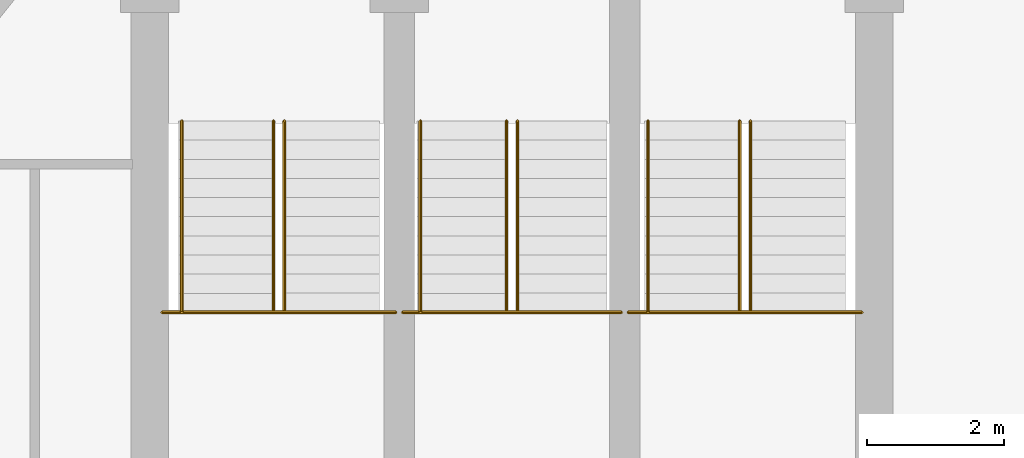
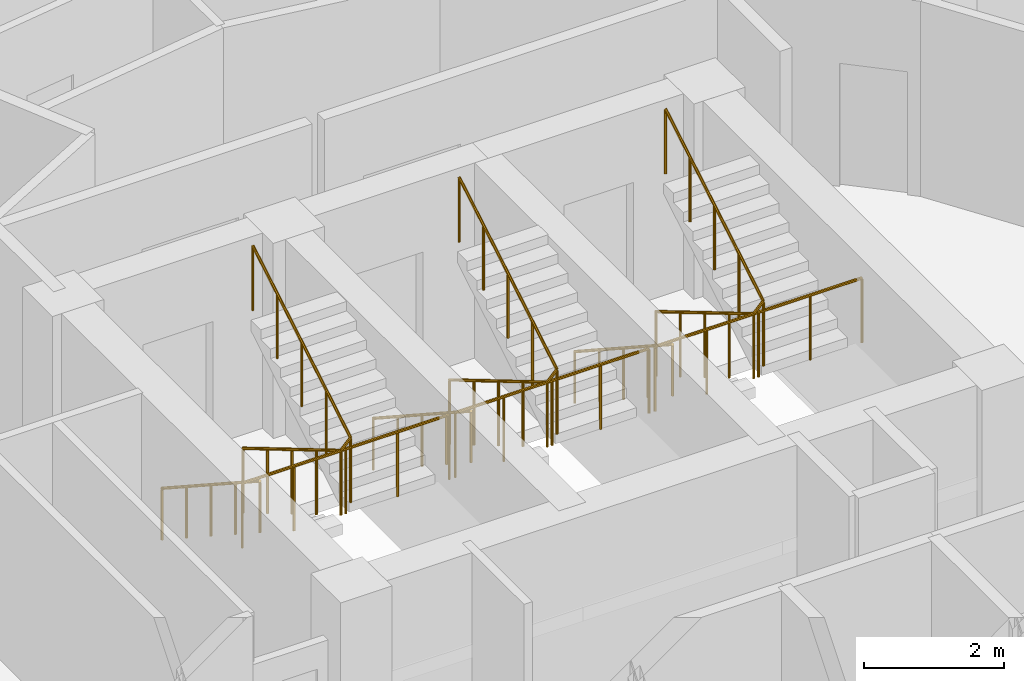
# One storey, part 27 of 27: 9 railings.
"""IFC4 building model written with IfcOpenShell, lengths in metres."""

from ifc_helpers import new_model, si_unit, direction, frame, origin, place, context, subcontext, project, spatial, polyline, outline, extrude, material, type_object, element, save


model = new_model("IFC4")

# Units and contexts
model_context = context("Model", 3, precision=1e-05, world=origin(), true_north=direction((0.0, 1.0)))
body_context = subcontext(model_context, "Body", "Model", "MODEL_VIEW")
ifc_project = project(units=[si_unit("LENGTHUNIT", "METRE"), si_unit("AREAUNIT", "SQUARE_METRE"), si_unit("VOLUMEUNIT", "CUBIC_METRE"), si_unit("PLANEANGLEUNIT", "RADIAN"), si_unit("MASSUNIT", "GRAM", prefix="KILO")], contexts=[model_context])

# Site, building, storey
site_placement = place(None, origin())
site = spatial("IfcSite", under=ifc_project, at=site_placement, CompositionType="ELEMENT")
building_placement = place(site_placement, origin())
building = spatial("IfcBuilding", under=site, at=building_placement, Name="Nuhasar Tower", CompositionType="ELEMENT")
storey_placement = place(building_placement, frame((0.0, 0.0, 208.14990234375)))
storey = spatial("IfcBuildingStorey", under=building, at=storey_placement, Name="L50", CompositionType="ELEMENT", Elevation=208.14990234375)

# Railings
ifc_material_1 = material(Name="Steel S355", Category="steel")
railing_type_1 = type_object("IfcRailingType", Name="RLG-STAIR-GUARD-1150", PredefinedType="GUARDRAIL", material=ifc_material_1)
railing_1_placement = place(storey_placement, frame((33.8798828125, 32.485107421875, 1.8251953125)))
element("IfcRailing", 1, at=railing_1_placement, inside=storey, type_object=railing_type_1, Name="L50 Stair ST-01 Guardrail LND", PredefinedType="GUARDRAIL", context=body_context, shape_type="SweptSolid", body=[
    extrude(outline(polyline([(0.024169921875, 0.0), (0.01708984375, 0.01708984375), (0.0, 0.024169921875), (-0.01708984375, 0.01708984375), (-0.024169921875, 0.0), (-0.01708984375, -0.01708984375), (0.0, -0.024169921875), (0.01708984375, -0.01708984375), (0.024169921875, 0.0)])), frame((0.0, 0.0, 1.1259765625), z_axis=(1.0, 0.0, 0.0), x_axis=(0.0, 1.0, 0.0)), (0.0, 0.0, 1.0), 3.420166015625),
    extrude(outline(polyline([(0.02099609375, 0.0), (0.014892578125, 0.014892578125), (0.0, 0.02099609375), (-0.014892578125, 0.014892578125), (-0.02099609375, 0.0), (-0.014892578125, -0.014892578125), (0.0, -0.02099609375), (0.014892578125, -0.014892578125), (0.02099609375, 0.0)])), origin(), (0.0, 0.0, 1.0), 1.101806640625),
    extrude(outline(polyline([(0.02099609375, 0.0), (0.014892578125, 0.014892578125), (0.0, 0.02099609375), (-0.014892578125, 0.014892578125), (-0.02099609375, 0.0), (-0.014892578125, -0.014892578125), (0.0, -0.02099609375), (0.014892578125, -0.014892578125), (0.02099609375, 0.0)])), frame((0.85498046875, 0.0, 0.0)), (0.0, 0.0, 1.0), 1.101806640625),
    extrude(outline(polyline([(0.02099609375, 0.0), (0.014892578125, 0.014892578125), (0.0, 0.02099609375), (-0.014892578125, 0.014892578125), (-0.02099609375, 0.0), (-0.014892578125, -0.014892578125), (0.0, -0.02099609375), (0.014892578125, -0.014892578125), (0.02099609375, 0.0)])), frame((1.7099609375, 0.0, 0.0)), (0.0, 0.0, 1.0), 1.101806640625),
    extrude(outline(polyline([(0.02099609375, 0.0), (0.014892578125, 0.014892578125), (0.0, 0.02099609375), (-0.014892578125, 0.014892578125), (-0.02099609375, 0.0), (-0.014892578125, -0.014892578125), (0.0, -0.02099609375), (0.014892578125, -0.014892578125), (0.02099609375, 0.0)])), frame((2.565185546875, 0.0, 0.0)), (0.0, 0.0, 1.0), 1.101806640625),
    extrude(outline(polyline([(0.02099609375, 0.0), (0.014892578125, 0.014892578125), (0.0, 0.02099609375), (-0.014892578125, 0.014892578125), (-0.02099609375, 0.0), (-0.014892578125, -0.014892578125), (0.0, -0.02099609375), (0.014892578125, -0.014892578125), (0.02099609375, 0.0)])), frame((3.420166015625, 0.0, 0.0)), (0.0, 0.0, 1.0), 1.101806640625),
])
railing_2_placement = place(storey_placement, frame((35.510009765625, 35.284912109375, 0.166015625)))
element("IfcRailing", 2, at=railing_2_placement, inside=storey, type_object=railing_type_1, Name="L50 Stair ST-01 Guardrail SLT", PredefinedType="GUARDRAIL", context=body_context, shape_type="SweptSolid", body=[
    extrude(outline(polyline([(0.024169921875, 0.0), (0.01708984375, 0.01708984375), (0.0, 0.024169921875), (-0.01708984375, 0.01708984375), (-0.024169921875, 0.0), (-0.01708984375, -0.01708984375), (0.0, -0.024169921875), (0.01708984375, -0.01708984375), (0.024169921875, 0.0)])), frame((0.0, 0.0, 1.1259765625), z_axis=(0.0, -0.860286659441, 0.509810615413), x_axis=(1.0, 0.0, 0.0)), (0.0, 0.0, 1.0), 3.25439453125),
    extrude(outline(polyline([(0.024169921875, 0.0), (0.01708984375, 0.01708984375), (0.0, 0.024169921875), (-0.01708984375, 0.01708984375), (-0.024169921875, 0.0), (-0.01708984375, -0.01708984375), (0.0, -0.024169921875), (0.01708984375, -0.01708984375), (0.024169921875, 0.0)])), frame((0.0, -2.7998046875, 2.78515625), z_axis=(0.693743449033, 0.0, 0.72022220663), x_axis=(0.0, 1.0, 0.0)), (0.0, 0.0, 1.0), 0.23046875),
    extrude(outline(polyline([(0.024169921875, 0.0), (0.01708984375, 0.01708984375), (0.0, 0.024169921875), (-0.01708984375, 0.01708984375), (-0.024169921875, 0.0), (-0.01708984375, -0.01708984375), (0.0, -0.024169921875), (0.01708984375, -0.01708984375), (0.024169921875, 0.0)])), frame((0.159912109375, -2.7998046875, 2.951171875), z_axis=(0.0, 0.860319559791, 0.509755093197), x_axis=(-1.0, 0.0, 0.0)), (0.0, 0.0, 1.0), 3.25439453125),
    extrude(outline(polyline([(0.02099609375, 0.0), (0.014892578125, 0.014892578125), (0.0, 0.02099609375), (-0.014892578125, 0.014892578125), (-0.02099609375, 0.0), (-0.014892578125, -0.014892578125), (0.0, -0.02099609375), (0.014892578125, -0.014892578125), (0.02099609375, 0.0)])), origin(), (0.0, 0.0, 1.0), 1.101806640625),
    extrude(outline(polyline([(0.02099609375, 0.0), (0.014892578125, 0.014892578125), (0.0, 0.02099609375), (-0.014892578125, 0.014892578125), (-0.02099609375, 0.0), (-0.014892578125, -0.014892578125), (0.0, -0.02099609375), (0.014892578125, -0.014892578125), (0.02099609375, 0.0)])), frame((0.0, -0.699951171875, 0.414794921875)), (0.0, 0.0, 1.0), 1.101806640625),
    extrude(outline(polyline([(0.02099609375, 0.0), (0.014892578125, 0.014892578125), (0.0, 0.02099609375), (-0.014892578125, 0.014892578125), (-0.02099609375, 0.0), (-0.014892578125, -0.014892578125), (0.0, -0.02099609375), (0.014892578125, -0.014892578125), (0.02099609375, 0.0)])), frame((0.0, -1.39990234375, 0.82958984375)), (0.0, 0.0, 1.0), 1.101806640625),
    extrude(outline(polyline([(0.02099609375, 0.0), (0.014892578125, 0.014892578125), (0.0, 0.02099609375), (-0.014892578125, 0.014892578125), (-0.02099609375, 0.0), (-0.014892578125, -0.014892578125), (0.0, -0.02099609375), (0.014892578125, -0.014892578125), (0.02099609375, 0.0)])), frame((0.0, -2.099853515625, 1.244384765625)), (0.0, 0.0, 1.0), 1.101806640625),
    extrude(outline(polyline([(0.02099609375, 0.0), (0.014892578125, 0.014892578125), (0.0, 0.02099609375), (-0.014892578125, 0.014892578125), (-0.02099609375, 0.0), (-0.014892578125, -0.014892578125), (0.0, -0.02099609375), (0.014892578125, -0.014892578125), (0.02099609375, 0.0)])), frame((0.0, -2.7998046875, 1.6591796875)), (0.0, 0.0, 1.0), 1.101806640625),
    extrude(outline(polyline([(0.02099609375, 0.0), (0.014892578125, 0.014892578125), (0.0, 0.02099609375), (-0.014892578125, 0.014892578125), (-0.02099609375, 0.0), (-0.014892578125, -0.014892578125), (0.0, -0.02099609375), (0.014892578125, -0.014892578125), (0.02099609375, 0.0)])), frame((0.159912109375, -2.7998046875, 1.8251953125)), (0.0, 0.0, 1.0), 1.101806640625),
    extrude(outline(polyline([(0.02099609375, 0.0), (0.014892578125, 0.014892578125), (0.0, 0.02099609375), (-0.014892578125, 0.014892578125), (-0.02099609375, 0.0), (-0.014892578125, -0.014892578125), (0.0, -0.02099609375), (0.014892578125, -0.014892578125), (0.02099609375, 0.0)])), frame((0.159912109375, -2.099853515625, 2.239990234375)), (0.0, 0.0, 1.0), 1.101806640625),
    extrude(outline(polyline([(0.02099609375, 0.0), (0.014892578125, 0.014892578125), (0.0, 0.02099609375), (-0.014892578125, 0.014892578125), (-0.02099609375, 0.0), (-0.014892578125, -0.014892578125), (0.0, -0.02099609375), (0.014892578125, -0.014892578125), (0.02099609375, 0.0)])), frame((0.159912109375, -1.39990234375, 2.65478515625)), (0.0, 0.0, 1.0), 1.101806640625),
    extrude(outline(polyline([(0.02099609375, 0.0), (0.014892578125, 0.014892578125), (0.0, 0.02099609375), (-0.014892578125, 0.014892578125), (-0.02099609375, 0.0), (-0.014892578125, -0.014892578125), (0.0, -0.02099609375), (0.014892578125, -0.014892578125), (0.02099609375, 0.0)])), frame((0.159912109375, -0.699951171875, 3.0693359375)), (0.0, 0.0, 1.0), 1.101806640625),
    extrude(outline(polyline([(0.02099609375, 0.0), (0.014892578125, 0.014892578125), (0.0, 0.02099609375), (-0.014892578125, 0.014892578125), (-0.02099609375, 0.0), (-0.014892578125, -0.014892578125), (0.0, -0.02099609375), (0.014892578125, -0.014892578125), (0.02099609375, 0.0)])), frame((0.159912109375, 0.0, 3.484130859375)), (0.0, 0.0, 1.0), 1.101806640625),
])
railing_3_placement = place(storey_placement, frame((37.39990234375, 32.485107421875, 1.8251953125)))
element("IfcRailing", 3, at=railing_3_placement, inside=storey, type_object=railing_type_1, Name="L50 Stair ST-03 Guardrail LND", PredefinedType="GUARDRAIL", context=body_context, shape_type="SweptSolid", body=[
    extrude(outline(polyline([(0.024169921875, 0.0), (0.01708984375, 0.01708984375), (0.0, 0.024169921875), (-0.01708984375, 0.01708984375), (-0.024169921875, 0.0), (-0.01708984375, -0.01708984375), (0.0, -0.024169921875), (0.01708984375, -0.01708984375), (0.024169921875, 0.0)])), frame((0.0, 0.0, 1.1259765625), z_axis=(1.0, 0.0, 0.0), x_axis=(0.0, 1.0, 0.0)), (0.0, 0.0, 1.0), 3.2001953125),
    extrude(outline(polyline([(0.02099609375, 0.0), (0.014892578125, 0.014892578125), (0.0, 0.02099609375), (-0.014892578125, 0.014892578125), (-0.02099609375, 0.0), (-0.014892578125, -0.014892578125), (0.0, -0.02099609375), (0.014892578125, -0.014892578125), (0.02099609375, 0.0)])), origin(), (0.0, 0.0, 1.0), 1.101806640625),
    extrude(outline(polyline([(0.02099609375, 0.0), (0.014892578125, 0.014892578125), (0.0, 0.02099609375), (-0.014892578125, 0.014892578125), (-0.02099609375, 0.0), (-0.014892578125, -0.014892578125), (0.0, -0.02099609375), (0.014892578125, -0.014892578125), (0.02099609375, 0.0)])), frame((0.800048828125, 0.0, 0.0)), (0.0, 0.0, 1.0), 1.101806640625),
    extrude(outline(polyline([(0.02099609375, 0.0), (0.014892578125, 0.014892578125), (0.0, 0.02099609375), (-0.014892578125, 0.014892578125), (-0.02099609375, 0.0), (-0.014892578125, -0.014892578125), (0.0, -0.02099609375), (0.014892578125, -0.014892578125), (0.02099609375, 0.0)])), frame((1.60009765625, 0.0, 0.0)), (0.0, 0.0, 1.0), 1.101806640625),
    extrude(outline(polyline([(0.02099609375, 0.0), (0.014892578125, 0.014892578125), (0.0, 0.02099609375), (-0.014892578125, 0.014892578125), (-0.02099609375, 0.0), (-0.014892578125, -0.014892578125), (0.0, -0.02099609375), (0.014892578125, -0.014892578125), (0.02099609375, 0.0)])), frame((2.400146484375, 0.0, 0.0)), (0.0, 0.0, 1.0), 1.101806640625),
    extrude(outline(polyline([(0.02099609375, 0.0), (0.014892578125, 0.014892578125), (0.0, 0.02099609375), (-0.014892578125, 0.014892578125), (-0.02099609375, 0.0), (-0.014892578125, -0.014892578125), (0.0, -0.02099609375), (0.014892578125, -0.014892578125), (0.02099609375, 0.0)])), frame((3.2001953125, 0.0, 0.0)), (0.0, 0.0, 1.0), 1.101806640625),
])
railing_4_placement = place(storey_placement, frame((38.919921875, 35.284912109375, 0.166015625)))
element("IfcRailing", 4, at=railing_4_placement, inside=storey, type_object=railing_type_1, Name="L50 Stair ST-03 Guardrail SLT", PredefinedType="GUARDRAIL", context=body_context, shape_type="SweptSolid", body=[
    extrude(outline(polyline([(0.024169921875, 0.0), (0.01708984375, 0.01708984375), (0.0, 0.024169921875), (-0.01708984375, 0.01708984375), (-0.024169921875, 0.0), (-0.01708984375, -0.01708984375), (0.0, -0.024169921875), (0.01708984375, -0.01708984375), (0.024169921875, 0.0)])), frame((0.0, 0.0, 1.1259765625), z_axis=(0.0, -0.860286659441, 0.509810615413), x_axis=(1.0, 0.0, 0.0)), (0.0, 0.0, 1.0), 3.25439453125),
    extrude(outline(polyline([(0.024169921875, 0.0), (0.01708984375, 0.01708984375), (0.0, 0.024169921875), (-0.01708984375, 0.01708984375), (-0.024169921875, 0.0), (-0.01708984375, -0.01708984375), (0.0, -0.024169921875), (0.01708984375, -0.01708984375), (0.024169921875, 0.0)])), frame((0.0, -2.7998046875, 2.78515625), z_axis=(0.694292246407, 0.0, 0.719693182251), x_axis=(0.0, 1.0, 0.0)), (0.0, 0.0, 1.0), 0.230712890625),
    extrude(outline(polyline([(0.024169921875, 0.0), (0.01708984375, 0.01708984375), (0.0, 0.024169921875), (-0.01708984375, 0.01708984375), (-0.024169921875, 0.0), (-0.01708984375, -0.01708984375), (0.0, -0.024169921875), (0.01708984375, -0.01708984375), (0.024169921875, 0.0)])), frame((0.16015625, -2.7998046875, 2.951171875), z_axis=(0.0, 0.860319559791, 0.509755093197), x_axis=(-1.0, 0.0, 0.0)), (0.0, 0.0, 1.0), 3.25439453125),
    extrude(outline(polyline([(0.02099609375, 0.0), (0.014892578125, 0.014892578125), (0.0, 0.02099609375), (-0.014892578125, 0.014892578125), (-0.02099609375, 0.0), (-0.014892578125, -0.014892578125), (0.0, -0.02099609375), (0.014892578125, -0.014892578125), (0.02099609375, 0.0)])), origin(), (0.0, 0.0, 1.0), 1.101806640625),
    extrude(outline(polyline([(0.02099609375, 0.0), (0.014892578125, 0.014892578125), (0.0, 0.02099609375), (-0.014892578125, 0.014892578125), (-0.02099609375, 0.0), (-0.014892578125, -0.014892578125), (0.0, -0.02099609375), (0.014892578125, -0.014892578125), (0.02099609375, 0.0)])), frame((0.0, -0.699951171875, 0.414794921875)), (0.0, 0.0, 1.0), 1.101806640625),
    extrude(outline(polyline([(0.02099609375, 0.0), (0.014892578125, 0.014892578125), (0.0, 0.02099609375), (-0.014892578125, 0.014892578125), (-0.02099609375, 0.0), (-0.014892578125, -0.014892578125), (0.0, -0.02099609375), (0.014892578125, -0.014892578125), (0.02099609375, 0.0)])), frame((0.0, -1.39990234375, 0.82958984375)), (0.0, 0.0, 1.0), 1.101806640625),
    extrude(outline(polyline([(0.02099609375, 0.0), (0.014892578125, 0.014892578125), (0.0, 0.02099609375), (-0.014892578125, 0.014892578125), (-0.02099609375, 0.0), (-0.014892578125, -0.014892578125), (0.0, -0.02099609375), (0.014892578125, -0.014892578125), (0.02099609375, 0.0)])), frame((0.0, -2.099853515625, 1.244384765625)), (0.0, 0.0, 1.0), 1.101806640625),
    extrude(outline(polyline([(0.02099609375, 0.0), (0.014892578125, 0.014892578125), (0.0, 0.02099609375), (-0.014892578125, 0.014892578125), (-0.02099609375, 0.0), (-0.014892578125, -0.014892578125), (0.0, -0.02099609375), (0.014892578125, -0.014892578125), (0.02099609375, 0.0)])), frame((0.0, -2.7998046875, 1.6591796875)), (0.0, 0.0, 1.0), 1.101806640625),
    extrude(outline(polyline([(0.02099609375, 0.0), (0.014892578125, 0.014892578125), (0.0, 0.02099609375), (-0.014892578125, 0.014892578125), (-0.02099609375, 0.0), (-0.014892578125, -0.014892578125), (0.0, -0.02099609375), (0.014892578125, -0.014892578125), (0.02099609375, 0.0)])), frame((0.16015625, -2.7998046875, 1.8251953125)), (0.0, 0.0, 1.0), 1.101806640625),
    extrude(outline(polyline([(0.02099609375, 0.0), (0.014892578125, 0.014892578125), (0.0, 0.02099609375), (-0.014892578125, 0.014892578125), (-0.02099609375, 0.0), (-0.014892578125, -0.014892578125), (0.0, -0.02099609375), (0.014892578125, -0.014892578125), (0.02099609375, 0.0)])), frame((0.16015625, -2.099853515625, 2.239990234375)), (0.0, 0.0, 1.0), 1.101806640625),
    extrude(outline(polyline([(0.02099609375, 0.0), (0.014892578125, 0.014892578125), (0.0, 0.02099609375), (-0.014892578125, 0.014892578125), (-0.02099609375, 0.0), (-0.014892578125, -0.014892578125), (0.0, -0.02099609375), (0.014892578125, -0.014892578125), (0.02099609375, 0.0)])), frame((0.16015625, -1.39990234375, 2.65478515625)), (0.0, 0.0, 1.0), 1.101806640625),
    extrude(outline(polyline([(0.02099609375, 0.0), (0.014892578125, 0.014892578125), (0.0, 0.02099609375), (-0.014892578125, 0.014892578125), (-0.02099609375, 0.0), (-0.014892578125, -0.014892578125), (0.0, -0.02099609375), (0.014892578125, -0.014892578125), (0.02099609375, 0.0)])), frame((0.16015625, -0.699951171875, 3.0693359375)), (0.0, 0.0, 1.0), 1.101806640625),
    extrude(outline(polyline([(0.02099609375, 0.0), (0.014892578125, 0.014892578125), (0.0, 0.02099609375), (-0.014892578125, 0.014892578125), (-0.02099609375, 0.0), (-0.014892578125, -0.014892578125), (0.0, -0.02099609375), (0.014892578125, -0.014892578125), (0.02099609375, 0.0)])), frame((0.16015625, 0.0, 3.484130859375)), (0.0, 0.0, 1.0), 1.101806640625),
])
railing_5_placement = place(storey_placement, frame((40.699951171875, 32.485107421875, 1.8251953125)))
element("IfcRailing", 5, at=railing_5_placement, inside=storey, type_object=railing_type_1, Name="L50 Stair ST-02 Guardrail LND", PredefinedType="GUARDRAIL", context=body_context, shape_type="SweptSolid", body=[
    extrude(outline(polyline([(0.024169921875, 0.0), (0.01708984375, 0.01708984375), (0.0, 0.024169921875), (-0.01708984375, 0.01708984375), (-0.024169921875, 0.0), (-0.01708984375, -0.01708984375), (0.0, -0.024169921875), (0.01708984375, -0.01708984375), (0.024169921875, 0.0)])), frame((0.0, 0.0, 1.1259765625), z_axis=(1.0, 0.0, 0.0), x_axis=(0.0, 1.0, 0.0)), (0.0, 0.0, 1.0), 3.420166015625),
    extrude(outline(polyline([(0.02099609375, 0.0), (0.014892578125, 0.014892578125), (0.0, 0.02099609375), (-0.014892578125, 0.014892578125), (-0.02099609375, 0.0), (-0.014892578125, -0.014892578125), (0.0, -0.02099609375), (0.014892578125, -0.014892578125), (0.02099609375, 0.0)])), origin(), (0.0, 0.0, 1.0), 1.101806640625),
    extrude(outline(polyline([(0.02099609375, 0.0), (0.014892578125, 0.014892578125), (0.0, 0.02099609375), (-0.014892578125, 0.014892578125), (-0.02099609375, 0.0), (-0.014892578125, -0.014892578125), (0.0, -0.02099609375), (0.014892578125, -0.014892578125), (0.02099609375, 0.0)])), frame((0.85498046875, 0.0, 0.0)), (0.0, 0.0, 1.0), 1.101806640625),
    extrude(outline(polyline([(0.02099609375, 0.0), (0.014892578125, 0.014892578125), (0.0, 0.02099609375), (-0.014892578125, 0.014892578125), (-0.02099609375, 0.0), (-0.014892578125, -0.014892578125), (0.0, -0.02099609375), (0.014892578125, -0.014892578125), (0.02099609375, 0.0)])), frame((1.7099609375, 0.0, 0.0)), (0.0, 0.0, 1.0), 1.101806640625),
    extrude(outline(polyline([(0.02099609375, 0.0), (0.014892578125, 0.014892578125), (0.0, 0.02099609375), (-0.014892578125, 0.014892578125), (-0.02099609375, 0.0), (-0.014892578125, -0.014892578125), (0.0, -0.02099609375), (0.014892578125, -0.014892578125), (0.02099609375, 0.0)])), frame((2.565185546875, 0.0, 0.0)), (0.0, 0.0, 1.0), 1.101806640625),
    extrude(outline(polyline([(0.02099609375, 0.0), (0.014892578125, 0.014892578125), (0.0, 0.02099609375), (-0.014892578125, 0.014892578125), (-0.02099609375, 0.0), (-0.014892578125, -0.014892578125), (0.0, -0.02099609375), (0.014892578125, -0.014892578125), (0.02099609375, 0.0)])), frame((3.420166015625, 0.0, 0.0)), (0.0, 0.0, 1.0), 1.101806640625),
])
railing_6_placement = place(storey_placement, frame((42.330078125, 35.284912109375, 0.166015625)))
element("IfcRailing", 6, at=railing_6_placement, inside=storey, type_object=railing_type_1, Name="L50 Stair ST-02 Guardrail SLT", PredefinedType="GUARDRAIL", context=body_context, shape_type="SweptSolid", body=[
    extrude(outline(polyline([(0.024169921875, 0.0), (0.01708984375, 0.01708984375), (0.0, 0.024169921875), (-0.01708984375, 0.01708984375), (-0.024169921875, 0.0), (-0.01708984375, -0.01708984375), (0.0, -0.024169921875), (0.01708984375, -0.01708984375), (0.024169921875, 0.0)])), frame((0.0, 0.0, 1.1259765625), z_axis=(0.0, -0.860286659441, 0.509810615413), x_axis=(1.0, 0.0, 0.0)), (0.0, 0.0, 1.0), 3.25439453125),
    extrude(outline(polyline([(0.024169921875, 0.0), (0.01708984375, 0.01708984375), (0.0, 0.024169921875), (-0.01708984375, 0.01708984375), (-0.024169921875, 0.0), (-0.01708984375, -0.01708984375), (0.0, -0.024169921875), (0.01708984375, -0.01708984375), (0.024169921875, 0.0)])), frame((0.0, -2.7998046875, 2.78515625), z_axis=(0.693743449033, 0.0, 0.72022220663), x_axis=(0.0, 1.0, 0.0)), (0.0, 0.0, 1.0), 0.23046875),
    extrude(outline(polyline([(0.024169921875, 0.0), (0.01708984375, 0.01708984375), (0.0, 0.024169921875), (-0.01708984375, 0.01708984375), (-0.024169921875, 0.0), (-0.01708984375, -0.01708984375), (0.0, -0.024169921875), (0.01708984375, -0.01708984375), (0.024169921875, 0.0)])), frame((0.159912109375, -2.7998046875, 2.951171875), z_axis=(0.0, 0.860319559791, 0.509755093197), x_axis=(-1.0, 0.0, 0.0)), (0.0, 0.0, 1.0), 3.25439453125),
    extrude(outline(polyline([(0.02099609375, 0.0), (0.014892578125, 0.014892578125), (0.0, 0.02099609375), (-0.014892578125, 0.014892578125), (-0.02099609375, 0.0), (-0.014892578125, -0.014892578125), (0.0, -0.02099609375), (0.014892578125, -0.014892578125), (0.02099609375, 0.0)])), origin(), (0.0, 0.0, 1.0), 1.101806640625),
    extrude(outline(polyline([(0.02099609375, 0.0), (0.014892578125, 0.014892578125), (0.0, 0.02099609375), (-0.014892578125, 0.014892578125), (-0.02099609375, 0.0), (-0.014892578125, -0.014892578125), (0.0, -0.02099609375), (0.014892578125, -0.014892578125), (0.02099609375, 0.0)])), frame((0.0, -0.699951171875, 0.414794921875)), (0.0, 0.0, 1.0), 1.101806640625),
    extrude(outline(polyline([(0.02099609375, 0.0), (0.014892578125, 0.014892578125), (0.0, 0.02099609375), (-0.014892578125, 0.014892578125), (-0.02099609375, 0.0), (-0.014892578125, -0.014892578125), (0.0, -0.02099609375), (0.014892578125, -0.014892578125), (0.02099609375, 0.0)])), frame((0.0, -1.39990234375, 0.82958984375)), (0.0, 0.0, 1.0), 1.101806640625),
    extrude(outline(polyline([(0.02099609375, 0.0), (0.014892578125, 0.014892578125), (0.0, 0.02099609375), (-0.014892578125, 0.014892578125), (-0.02099609375, 0.0), (-0.014892578125, -0.014892578125), (0.0, -0.02099609375), (0.014892578125, -0.014892578125), (0.02099609375, 0.0)])), frame((0.0, -2.099853515625, 1.244384765625)), (0.0, 0.0, 1.0), 1.101806640625),
    extrude(outline(polyline([(0.02099609375, 0.0), (0.014892578125, 0.014892578125), (0.0, 0.02099609375), (-0.014892578125, 0.014892578125), (-0.02099609375, 0.0), (-0.014892578125, -0.014892578125), (0.0, -0.02099609375), (0.014892578125, -0.014892578125), (0.02099609375, 0.0)])), frame((0.0, -2.7998046875, 1.6591796875)), (0.0, 0.0, 1.0), 1.101806640625),
    extrude(outline(polyline([(0.02099609375, 0.0), (0.014892578125, 0.014892578125), (0.0, 0.02099609375), (-0.014892578125, 0.014892578125), (-0.02099609375, 0.0), (-0.014892578125, -0.014892578125), (0.0, -0.02099609375), (0.014892578125, -0.014892578125), (0.02099609375, 0.0)])), frame((0.159912109375, -2.7998046875, 1.8251953125)), (0.0, 0.0, 1.0), 1.101806640625),
    extrude(outline(polyline([(0.02099609375, 0.0), (0.014892578125, 0.014892578125), (0.0, 0.02099609375), (-0.014892578125, 0.014892578125), (-0.02099609375, 0.0), (-0.014892578125, -0.014892578125), (0.0, -0.02099609375), (0.014892578125, -0.014892578125), (0.02099609375, 0.0)])), frame((0.159912109375, -2.099853515625, 2.239990234375)), (0.0, 0.0, 1.0), 1.101806640625),
    extrude(outline(polyline([(0.02099609375, 0.0), (0.014892578125, 0.014892578125), (0.0, 0.02099609375), (-0.014892578125, 0.014892578125), (-0.02099609375, 0.0), (-0.014892578125, -0.014892578125), (0.0, -0.02099609375), (0.014892578125, -0.014892578125), (0.02099609375, 0.0)])), frame((0.159912109375, -1.39990234375, 2.65478515625)), (0.0, 0.0, 1.0), 1.101806640625),
    extrude(outline(polyline([(0.02099609375, 0.0), (0.014892578125, 0.014892578125), (0.0, 0.02099609375), (-0.014892578125, 0.014892578125), (-0.02099609375, 0.0), (-0.014892578125, -0.014892578125), (0.0, -0.02099609375), (0.014892578125, -0.014892578125), (0.02099609375, 0.0)])), frame((0.159912109375, -0.699951171875, 3.0693359375)), (0.0, 0.0, 1.0), 1.101806640625),
    extrude(outline(polyline([(0.02099609375, 0.0), (0.014892578125, 0.014892578125), (0.0, 0.02099609375), (-0.014892578125, 0.014892578125), (-0.02099609375, 0.0), (-0.014892578125, -0.014892578125), (0.0, -0.02099609375), (0.014892578125, -0.014892578125), (0.02099609375, 0.0)])), frame((0.159912109375, 0.0, 3.484130859375)), (0.0, 0.0, 1.0), 1.101806640625),
])
ifc_material_2 = material(Name="Stainless Steel 316L", Category="steel")
railing_type_2 = type_object("IfcRailingType", Name="RLG-STAIR-HAND-920", PredefinedType="HANDRAIL", material=ifc_material_2)
railing_7_placement = place(storey_placement, frame((34.169921875, 35.284912109375, 0.166015625)))
element("IfcRailing", 7, at=railing_7_placement, inside=storey, type_object=railing_type_2, Name="L50 Stair ST-01 Handrail HND1", PredefinedType="HANDRAIL", context=body_context, shape_type="SweptSolid", body=[
    extrude(outline(polyline([(0.024169921875, 0.0), (0.01708984375, 0.01708984375), (0.0, 0.024169921875), (-0.01708984375, 0.01708984375), (-0.024169921875, 0.0), (-0.01708984375, -0.01708984375), (0.0, -0.024169921875), (0.01708984375, -0.01708984375), (0.024169921875, 0.0)])), frame((0.0, 0.0, 0.89599609375), z_axis=(0.0, -0.837715212655, 0.546107336049), x_axis=(1.0, 0.0, 0.0)), (0.0, 0.0, 1.0), 3.34228515625),
    extrude(outline(polyline([(0.02099609375, 0.0), (0.014892578125, 0.014892578125), (0.0, 0.02099609375), (-0.014892578125, 0.014892578125), (-0.02099609375, 0.0), (-0.014892578125, -0.014892578125), (0.0, -0.02099609375), (0.014892578125, -0.014892578125), (0.02099609375, 0.0)])), origin(), (0.0, 0.0, 1.0), 0.871826171875),
    extrude(outline(polyline([(0.02099609375, 0.0), (0.014892578125, 0.014892578125), (0.0, 0.02099609375), (-0.014892578125, 0.014892578125), (-0.02099609375, 0.0), (-0.014892578125, -0.014892578125), (0.0, -0.02099609375), (0.014892578125, -0.014892578125), (0.02099609375, 0.0)])), frame((0.0, -0.699951171875, 0.456298828125)), (0.0, 0.0, 1.0), 0.871826171875),
    extrude(outline(polyline([(0.02099609375, 0.0), (0.014892578125, 0.014892578125), (0.0, 0.02099609375), (-0.014892578125, 0.014892578125), (-0.02099609375, 0.0), (-0.014892578125, -0.014892578125), (0.0, -0.02099609375), (0.014892578125, -0.014892578125), (0.02099609375, 0.0)])), frame((0.0, -1.39990234375, 0.91259765625)), (0.0, 0.0, 1.0), 0.871826171875),
    extrude(outline(polyline([(0.02099609375, 0.0), (0.014892578125, 0.014892578125), (0.0, 0.02099609375), (-0.014892578125, 0.014892578125), (-0.02099609375, 0.0), (-0.014892578125, -0.014892578125), (0.0, -0.02099609375), (0.014892578125, -0.014892578125), (0.02099609375, 0.0)])), frame((0.0, -2.099853515625, 1.368896484375)), (0.0, 0.0, 1.0), 0.871826171875),
    extrude(outline(polyline([(0.02099609375, 0.0), (0.014892578125, 0.014892578125), (0.0, 0.02099609375), (-0.014892578125, 0.014892578125), (-0.02099609375, 0.0), (-0.014892578125, -0.014892578125), (0.0, -0.02099609375), (0.014892578125, -0.014892578125), (0.02099609375, 0.0)])), frame((0.0, -2.7998046875, 1.8251953125)), (0.0, 0.0, 1.0), 0.871826171875),
])
railing_8_placement = place(storey_placement, frame((37.659912109375, 35.284912109375, 0.166015625)))
element("IfcRailing", 8, at=railing_8_placement, inside=storey, type_object=railing_type_2, Name="L50 Stair ST-03 Handrail HND1", PredefinedType="HANDRAIL", context=body_context, shape_type="SweptSolid", body=[
    extrude(outline(polyline([(0.024169921875, 0.0), (0.01708984375, 0.01708984375), (0.0, 0.024169921875), (-0.01708984375, 0.01708984375), (-0.024169921875, 0.0), (-0.01708984375, -0.01708984375), (0.0, -0.024169921875), (0.01708984375, -0.01708984375), (0.024169921875, 0.0)])), frame((0.0, 0.0, 0.89599609375), z_axis=(0.0, -0.837715212655, 0.546107336049), x_axis=(1.0, 0.0, 0.0)), (0.0, 0.0, 1.0), 3.34228515625),
    extrude(outline(polyline([(0.02099609375, 0.0), (0.014892578125, 0.014892578125), (0.0, 0.02099609375), (-0.014892578125, 0.014892578125), (-0.02099609375, 0.0), (-0.014892578125, -0.014892578125), (0.0, -0.02099609375), (0.014892578125, -0.014892578125), (0.02099609375, 0.0)])), origin(), (0.0, 0.0, 1.0), 0.871826171875),
    extrude(outline(polyline([(0.02099609375, 0.0), (0.014892578125, 0.014892578125), (0.0, 0.02099609375), (-0.014892578125, 0.014892578125), (-0.02099609375, 0.0), (-0.014892578125, -0.014892578125), (0.0, -0.02099609375), (0.014892578125, -0.014892578125), (0.02099609375, 0.0)])), frame((0.0, -0.699951171875, 0.456298828125)), (0.0, 0.0, 1.0), 0.871826171875),
    extrude(outline(polyline([(0.02099609375, 0.0), (0.014892578125, 0.014892578125), (0.0, 0.02099609375), (-0.014892578125, 0.014892578125), (-0.02099609375, 0.0), (-0.014892578125, -0.014892578125), (0.0, -0.02099609375), (0.014892578125, -0.014892578125), (0.02099609375, 0.0)])), frame((0.0, -1.39990234375, 0.91259765625)), (0.0, 0.0, 1.0), 0.871826171875),
    extrude(outline(polyline([(0.02099609375, 0.0), (0.014892578125, 0.014892578125), (0.0, 0.02099609375), (-0.014892578125, 0.014892578125), (-0.02099609375, 0.0), (-0.014892578125, -0.014892578125), (0.0, -0.02099609375), (0.014892578125, -0.014892578125), (0.02099609375, 0.0)])), frame((0.0, -2.099853515625, 1.368896484375)), (0.0, 0.0, 1.0), 0.871826171875),
    extrude(outline(polyline([(0.02099609375, 0.0), (0.014892578125, 0.014892578125), (0.0, 0.02099609375), (-0.014892578125, 0.014892578125), (-0.02099609375, 0.0), (-0.014892578125, -0.014892578125), (0.0, -0.02099609375), (0.014892578125, -0.014892578125), (0.02099609375, 0.0)])), frame((0.0, -2.7998046875, 1.8251953125)), (0.0, 0.0, 1.0), 0.871826171875),
])
railing_9_placement = place(storey_placement, frame((40.989990234375, 35.284912109375, 0.166015625)))
element("IfcRailing", 9, at=railing_9_placement, inside=storey, type_object=railing_type_2, Name="L50 Stair ST-02 Handrail HND1", PredefinedType="HANDRAIL", context=body_context, shape_type="SweptSolid", body=[
    extrude(outline(polyline([(0.024169921875, 0.0), (0.01708984375, 0.01708984375), (0.0, 0.024169921875), (-0.01708984375, 0.01708984375), (-0.024169921875, 0.0), (-0.01708984375, -0.01708984375), (0.0, -0.024169921875), (0.01708984375, -0.01708984375), (0.024169921875, 0.0)])), frame((0.0, 0.0, 0.89599609375), z_axis=(0.0, -0.837715212655, 0.546107336049), x_axis=(1.0, 0.0, 0.0)), (0.0, 0.0, 1.0), 3.34228515625),
    extrude(outline(polyline([(0.02099609375, 0.0), (0.014892578125, 0.014892578125), (0.0, 0.02099609375), (-0.014892578125, 0.014892578125), (-0.02099609375, 0.0), (-0.014892578125, -0.014892578125), (0.0, -0.02099609375), (0.014892578125, -0.014892578125), (0.02099609375, 0.0)])), origin(), (0.0, 0.0, 1.0), 0.871826171875),
    extrude(outline(polyline([(0.02099609375, 0.0), (0.014892578125, 0.014892578125), (0.0, 0.02099609375), (-0.014892578125, 0.014892578125), (-0.02099609375, 0.0), (-0.014892578125, -0.014892578125), (0.0, -0.02099609375), (0.014892578125, -0.014892578125), (0.02099609375, 0.0)])), frame((0.0, -0.699951171875, 0.456298828125)), (0.0, 0.0, 1.0), 0.871826171875),
    extrude(outline(polyline([(0.02099609375, 0.0), (0.014892578125, 0.014892578125), (0.0, 0.02099609375), (-0.014892578125, 0.014892578125), (-0.02099609375, 0.0), (-0.014892578125, -0.014892578125), (0.0, -0.02099609375), (0.014892578125, -0.014892578125), (0.02099609375, 0.0)])), frame((0.0, -1.39990234375, 0.91259765625)), (0.0, 0.0, 1.0), 0.871826171875),
    extrude(outline(polyline([(0.02099609375, 0.0), (0.014892578125, 0.014892578125), (0.0, 0.02099609375), (-0.014892578125, 0.014892578125), (-0.02099609375, 0.0), (-0.014892578125, -0.014892578125), (0.0, -0.02099609375), (0.014892578125, -0.014892578125), (0.02099609375, 0.0)])), frame((0.0, -2.099853515625, 1.368896484375)), (0.0, 0.0, 1.0), 0.871826171875),
    extrude(outline(polyline([(0.02099609375, 0.0), (0.014892578125, 0.014892578125), (0.0, 0.02099609375), (-0.014892578125, 0.014892578125), (-0.02099609375, 0.0), (-0.014892578125, -0.014892578125), (0.0, -0.02099609375), (0.014892578125, -0.014892578125), (0.02099609375, 0.0)])), frame((0.0, -2.7998046875, 1.8251953125)), (0.0, 0.0, 1.0), 0.871826171875),
])

save(model, "model.ifc")
